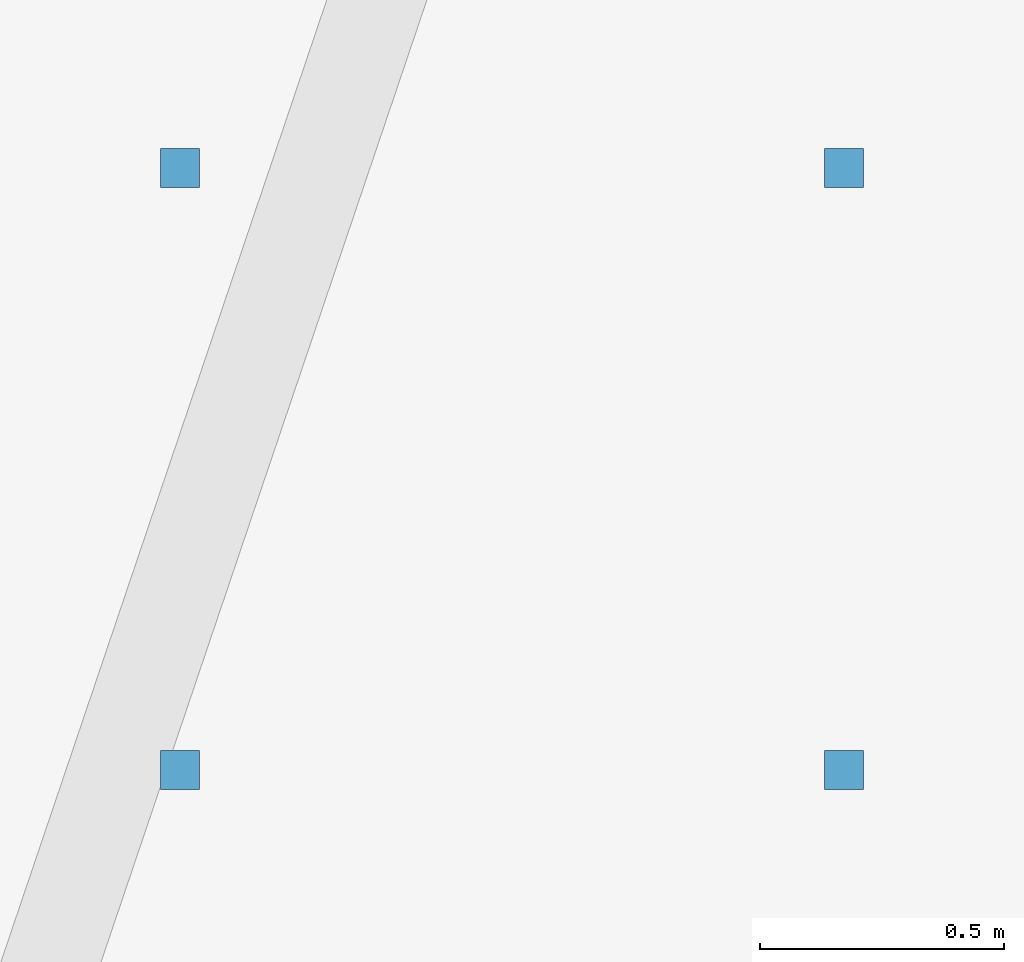
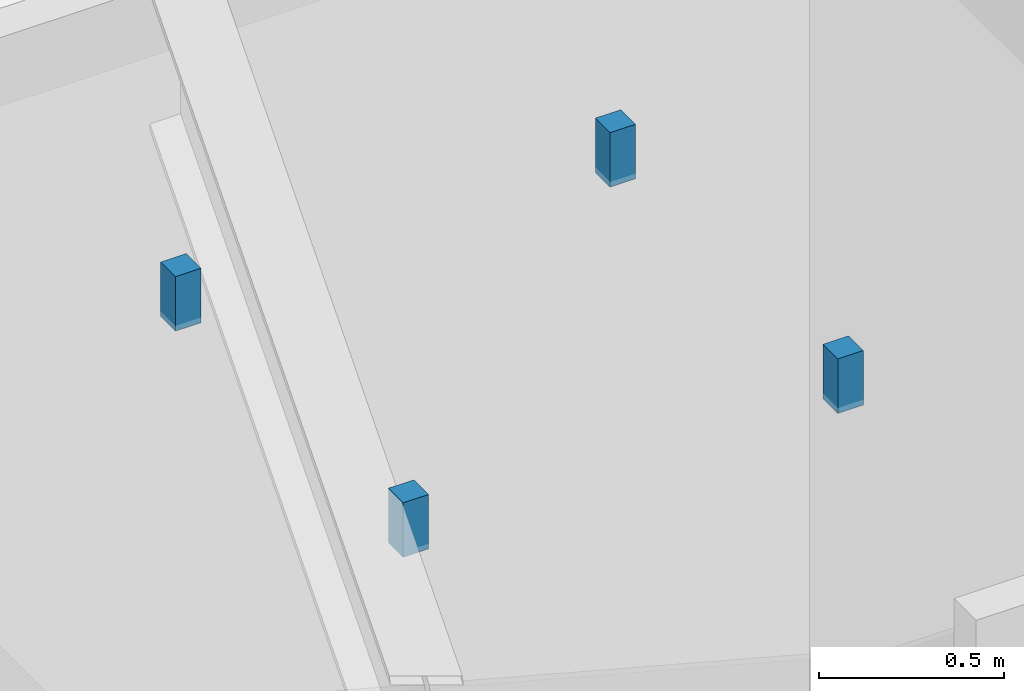
# One storey, part 10 of 18: 4 discrete accessories.
"""IFC4 building model written with IfcOpenShell, lengths in metres."""

from ifc_helpers import new_model, si_unit, direction, frame, origin, origin_2d, place, context, subcontext, project, spatial, rectangle, extrude, material, type_object, element, save


model = new_model("IFC4")

# Units and contexts
model_context = context("Model", 3, precision=1e-05, world=origin(), true_north=direction((0.0, 1.0)))
body_context = subcontext(model_context, "Body", "Model", "MODEL_VIEW")
ifc_project = project(units=[si_unit("LENGTHUNIT", "METRE"), si_unit("AREAUNIT", "SQUARE_METRE"), si_unit("VOLUMEUNIT", "CUBIC_METRE"), si_unit("PLANEANGLEUNIT", "RADIAN"), si_unit("MASSUNIT", "GRAM", prefix="KILO")], contexts=[model_context])

# Site, building, storey
site_placement = place(None, origin())
site = spatial("IfcSite", under=ifc_project, at=site_placement, CompositionType="ELEMENT")
building_placement = place(site_placement, origin())
building = spatial("IfcBuilding", under=site, at=building_placement, Name="Kolvaren Gate Tower and Convention Centre", CompositionType="ELEMENT")
storey_placement = place(building_placement, frame((0.0, 0.0, 30.35009765625)))
storey = spatial("IfcBuildingStorey", under=building, at=storey_placement, Name="L06", CompositionType="ELEMENT", Elevation=30.35009765625)

# Discrete accessories
ifc_material = material(Name="Brushed Stainless Steel Grade 316L", Category="steel")
discrete_accessory_type = type_object("IfcDiscreteAccessoryType", Name="ARCH-ACC-HANGER-80", PredefinedType="BRACKET", material=ifc_material)
for number, where, z_axis, x_axis, name in (
    (1, (3.991943359375, 29.98388671875, 3.39013671875), (0.0, 0.0, 1.0), (1.0, 0.0, 0.0), "Cellular Office Ceiling Suspension Hanger Clip 1"),
    (2, (5.35009765625, 29.98388671875, 3.39013671875), (0.0, 0.0, 1.0), (1.0, 0.0, 0.0), "Cellular Office Ceiling Suspension Hanger Clip 2"),
    (3, (3.991943359375, 31.216064453125, 3.39013671875), (0.0, 0.0, 1.0), (1.0, 0.0, 0.0), "Cellular Office Ceiling Suspension Hanger Clip 3"),
    (4, (5.35009765625, 31.216064453125, 3.39013671875), (0.0, 0.0, 1.0), (1.0, 0.0, 0.0), "Cellular Office Ceiling Suspension Hanger Clip 4"),
):
    element("IfcDiscreteAccessory", number, at=place(storey_placement, frame(where, z_axis=z_axis, x_axis=x_axis)), inside=storey, type_object=discrete_accessory_type, Name=name, PredefinedType="BRACKET", context=body_context, shape_type="SweptSolid", body=[
        extrude(rectangle(XDim=0.080078125, YDim=0.080078125, at=origin_2d()), origin(), (0.0, 0.0, 1.0), 0.179931640625),
    ])

save(model, "model.ifc")
